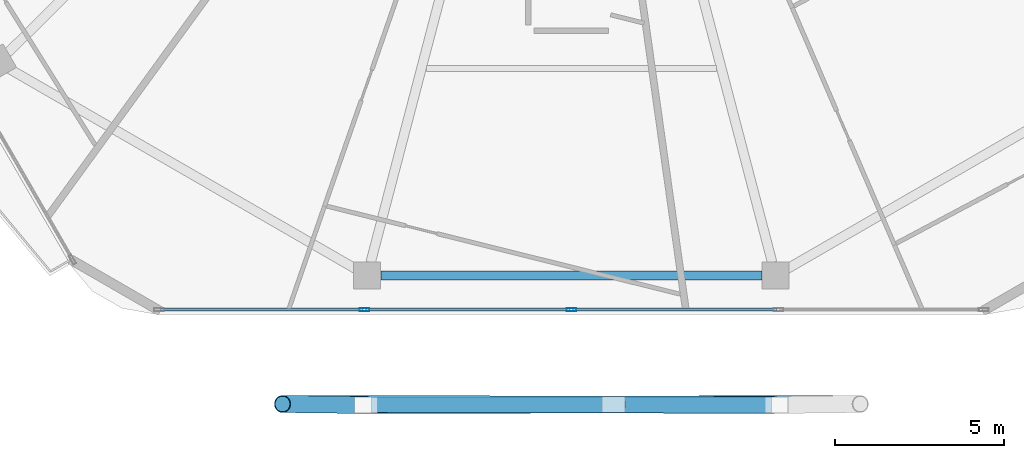
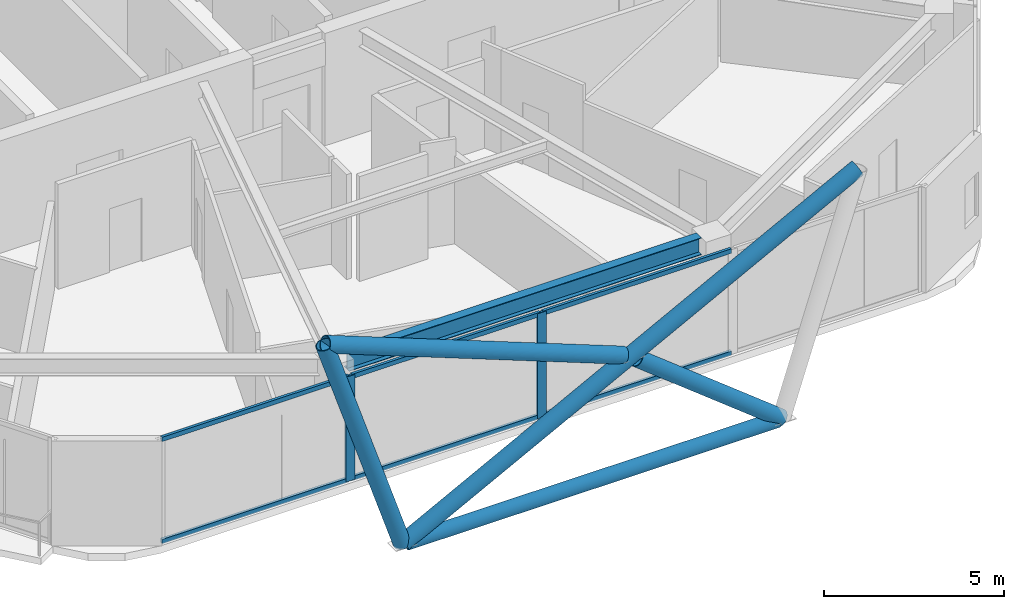
# One storey, part 4 of 24: 13 members, 1 beam, 1 element without a shape of its own.
"""IFC4 building model written with IfcOpenShell, lengths in metres."""

from ifc_helpers import new_model, si_unit, direction, frame, origin, origin_2d, place, context, subcontext, project, spatial, hollow_rectangle, hollow_circle, i_section, extrude, material, material_profile, profile_set, type_object, element, aggregate, save


model = new_model("IFC4")

# Units and contexts
model_context = context("Model", 3, precision=1e-05, world=origin(), true_north=direction((0.0, 1.0)))
body_context = subcontext(model_context, "Body", "Model", "MODEL_VIEW")
ifc_project = project(units=[si_unit("LENGTHUNIT", "METRE"), si_unit("AREAUNIT", "SQUARE_METRE"), si_unit("VOLUMEUNIT", "CUBIC_METRE"), si_unit("PLANEANGLEUNIT", "RADIAN"), si_unit("MASSUNIT", "GRAM", prefix="KILO")], contexts=[model_context])

# Site, building, storey
site_placement = place(None, origin())
site = spatial("IfcSite", under=ifc_project, at=site_placement, CompositionType="ELEMENT")
building_placement = place(site_placement, origin())
building = spatial("IfcBuilding", under=site, at=building_placement, Name="Zuhravey Tower", CompositionType="ELEMENT")
storey_placement = place(building_placement, frame((0.0, 0.0, 308.199951171875)))
storey = spatial("IfcBuildingStorey", under=building, at=storey_placement, Name="L78", CompositionType="ELEMENT", Elevation=308.199951171875)

# Curtain wall, members
ifc_material_1 = material(Name="Thermally broken anodised aluminium", Category="aluminium")
curtain_wall_type = type_object("IfcCurtainWallType", Name="Zone 3-4 High-Rise Curtain Wall CW4", PredefinedType="NOTDEFINED", material=ifc_material_1)
curtain_wall_placement = place(storey_placement, origin())
curtain_wall = element("IfcCurtainWall", 1, at=curtain_wall_placement, inside=storey, type_object=curtain_wall_type, Name="L78 CW4 CW-L78-F5-1", PredefinedType="NOTDEFINED")
ifc_material_2 = material(Name="Anodised aluminium", Category="aluminium")
ifc_material_profile_1 = material_profile(ifc_material_2, hollow_rectangle(XDim=0.090087890625, YDim=0.284912109375, WallThickness=0.0048828125, at=origin_2d()), Name="ALU-RHS-90x285x5")
ifc_profile_set_1 = profile_set([ifc_material_profile_1], Name="Anodised aluminium")
member_type_1 = type_object("IfcMemberType", Name="Curtain-Wall Mullion 90x180", PredefinedType="MULLION", material=ifc_profile_set_1)
member_1_placement = place(storey_placement, frame((36.0, 7.92578125, 0.0), z_axis=(0.0, 0.0, 1.0), x_axis=(0.0, -1.0, 0.0)))
member_1 = element("IfcMember", 2, at=member_1_placement, type_object=member_type_1, Name="CW4 mullion 3", PredefinedType="MULLION", context=body_context, shape_type="SweptSolid", body=[
    extrude(hollow_rectangle(XDim=0.090087890625, YDim=0.284912109375, WallThickness=0.0048828125, at=origin_2d()), origin(), (0.0, 0.0, 1.0), 3.550048828125),
])
member_2_placement = place(storey_placement, frame((29.88037109375, 7.92578125, 0.0), z_axis=(0.0, 0.0, 1.0), x_axis=(0.0, -1.0, 0.0)))
member_2 = element("IfcMember", 3, at=member_2_placement, type_object=member_type_1, Name="CW4 mullion 4", PredefinedType="MULLION", context=body_context, shape_type="SweptSolid", body=[
    extrude(hollow_rectangle(XDim=0.090087890625, YDim=0.284912109375, WallThickness=0.0048828125, at=origin_2d()), origin(), (0.0, 0.0, 1.0), 3.550048828125),
])
ifc_material_profile_2 = material_profile(ifc_material_2, hollow_rectangle(XDim=0.090087890625, YDim=0.14990234375, WallThickness=0.0048828125, at=origin_2d()), Name="ALU-RHS-90x150x5")
ifc_profile_set_2 = profile_set([ifc_material_profile_2], Name="Anodised aluminium")
member_type_2 = type_object("IfcMemberType", Name="Curtain-Wall Transom 90x150", PredefinedType="USERDEFINED", material=ifc_profile_set_2)
member_3_placement = place(storey_placement, frame((42.07470703125, 7.92578125, 0.045166015625), z_axis=(-1.0, 0.0, 0.0), x_axis=(0.0, -1.0, 0.0)))
member_3 = element("IfcMember", 4, at=member_3_placement, type_object=member_type_2, Name="CW4 transom 2.1", ObjectType="TRANSOM", PredefinedType="USERDEFINED", context=body_context, shape_type="SweptSolid", body=[
    extrude(hollow_rectangle(XDim=0.090087890625, YDim=0.14990234375, WallThickness=0.0048828125, at=origin_2d()), origin(), (0.0, 0.0, 1.0), 6.02978515625),
])
member_4_placement = place(storey_placement, frame((42.07470703125, 7.92578125, 3.505126953125), z_axis=(-1.0, 0.0, 0.0), x_axis=(0.0, -1.0, 0.0)))
member_4 = element("IfcMember", 5, at=member_4_placement, type_object=member_type_2, Name="CW4 transom 2.2", ObjectType="TRANSOM", PredefinedType="USERDEFINED", context=body_context, shape_type="SweptSolid", body=[
    extrude(hollow_rectangle(XDim=0.090087890625, YDim=0.14990234375, WallThickness=0.0048828125, at=origin_2d()), origin(), (0.0, 0.0, 1.0), 6.02978515625),
])
member_5_placement = place(storey_placement, frame((35.955078125, 7.92578125, 0.045166015625), z_axis=(-1.0, 0.0, 0.0), x_axis=(0.0, -1.0, 0.0)))
member_5 = element("IfcMember", 6, at=member_5_placement, type_object=member_type_2, Name="CW4 transom 3.1", ObjectType="TRANSOM", PredefinedType="USERDEFINED", context=body_context, shape_type="SweptSolid", body=[
    extrude(hollow_rectangle(XDim=0.090087890625, YDim=0.14990234375, WallThickness=0.0048828125, at=origin_2d()), origin(), (0.0, 0.0, 1.0), 6.02978515625),
])
member_6_placement = place(storey_placement, frame((35.955078125, 7.92578125, 3.505126953125), z_axis=(-1.0, 0.0, 0.0), x_axis=(0.0, -1.0, 0.0)))
member_6 = element("IfcMember", 7, at=member_6_placement, type_object=member_type_2, Name="CW4 transom 3.2", ObjectType="TRANSOM", PredefinedType="USERDEFINED", context=body_context, shape_type="SweptSolid", body=[
    extrude(hollow_rectangle(XDim=0.090087890625, YDim=0.14990234375, WallThickness=0.0048828125, at=origin_2d()), origin(), (0.0, 0.0, 1.0), 6.02978515625),
])
member_7_placement = place(storey_placement, frame((29.83544921875, 7.92578125, 0.045166015625), z_axis=(-1.0, 0.0, 0.0), x_axis=(0.0, -1.0, 0.0)))
member_7 = element("IfcMember", 8, at=member_7_placement, type_object=member_type_2, Name="CW4 transom 4.1", ObjectType="TRANSOM", PredefinedType="USERDEFINED", context=body_context, shape_type="SweptSolid", body=[
    extrude(hollow_rectangle(XDim=0.090087890625, YDim=0.14990234375, WallThickness=0.0048828125, at=origin_2d()), origin(), (0.0, 0.0, 1.0), 5.98486328125),
])
member_8_placement = place(storey_placement, frame((29.83544921875, 7.92578125, 3.505126953125), z_axis=(-1.0, 0.0, 0.0), x_axis=(0.0, -1.0, 0.0)))
member_8 = element("IfcMember", 9, at=member_8_placement, type_object=member_type_2, Name="CW4 transom 4.2", ObjectType="TRANSOM", PredefinedType="USERDEFINED", context=body_context, shape_type="SweptSolid", body=[
    extrude(hollow_rectangle(XDim=0.090087890625, YDim=0.14990234375, WallThickness=0.0048828125, at=origin_2d()), origin(), (0.0, 0.0, 1.0), 5.98486328125),
])
aggregate(curtain_wall, [member_1, member_2, member_3, member_4, member_5, member_6, member_7, member_8])

# Members
ifc_material_3 = material(Name="Steel SM355", Category="steel")
ifc_material_profile_3 = material_profile(ifc_material_3, hollow_circle(Radius=0.228515625, WallThickness=0.02197265625, at=origin_2d()), Name="CHS-457.2x22")
ifc_profile_set_3 = profile_set([ifc_material_profile_3], Name="Steel SM355")
member_type_3 = type_object("IfcMemberType", Name="Exoskeleton Ring Tie CHS457x22", PredefinedType="CHORD", material=ifc_profile_set_3)
member_9_placement = place(storey_placement, frame((30.072509765625, 5.10595703125, -0.4638671875), z_axis=(1.0, 0.0, 0.0), x_axis=(0.0, 1.0, 0.0)))
element("IfcMember", 10, at=member_9_placement, inside=storey, type_object=member_type_3, Name="L78 Exoskeleton Face 5 Tie EXR1", PredefinedType="CHORD", context=body_context, shape_type="SweptSolid", body=[
    extrude(hollow_circle(Radius=0.228515625, WallThickness=0.02197265625, at=origin_2d()), origin(), (0.0, 0.0, 1.0), 11.85498046875),
])
ifc_material_profile_4 = material_profile(ifc_material_3, hollow_circle(Radius=0.25390625, WallThickness=0.02490234375, at=origin_2d()), Name="CHS-508.0x25")
ifc_profile_set_4 = profile_set([ifc_material_profile_4], Name="Steel SM355")
member_type_4 = type_object("IfcMemberType", Name="Exoskeleton Zone 4 Diagrid CHS508x25", PredefinedType="BRACE", material=ifc_profile_set_4)
member_10_placement = place(storey_placement, frame((29.927490234375, 5.10595703125, -0.447998046875), z_axis=(-0.310451636696, 0.003741120079, 0.950581814098), x_axis=(-0.012049698022, -0.999927399753, 0.0)))
element("IfcMember", 11, at=member_10_placement, inside=storey, type_object=member_type_4, Name="L78 Face 5 Diagrid Brace 1", PredefinedType="BRACE", context=body_context, shape_type="SweptSolid", body=[
    extrude(hollow_circle(Radius=0.25390625, WallThickness=0.02490234375, at=origin_2d()), origin(), (0.0, 0.0, 1.0), 7.961669921875),
])
member_11_placement = place(storey_placement, frame((29.96337890625, 5.10595703125, -0.447998046875), z_axis=(0.887232881508, 0.001815569056, 0.461318239049), x_axis=(-0.002046323229, 0.999997906278, 0.0)))
element("IfcMember", 12, at=member_11_placement, inside=storey, type_object=member_type_4, Name="L78 Face 5 Diagrid Brace 2", PredefinedType="BRACE", context=body_context, shape_type="SweptSolid", body=[
    extrude(hollow_circle(Radius=0.25390625, WallThickness=0.02490234375, at=origin_2d()), origin(), (0.0, 0.0, 1.0), 16.405517578125),
])
member_12_placement = place(storey_placement, frame((42.0400390625, 5.10595703125, -0.4423828125), z_axis=(-0.785692881765, 0.002456461238, 0.618611882638), x_axis=(-0.003126475102, -0.999995112565, 0.0)))
element("IfcMember", 13, at=member_12_placement, inside=storey, type_object=member_type_4, Name="L78 Face 5 Split Diagrid Brace 3A", PredefinedType="BRACE", context=body_context, shape_type="SweptSolid", body=[
    extrude(hollow_circle(Radius=0.25390625, WallThickness=0.02490234375, at=origin_2d()), origin(), (0.0, 0.0, 1.0), 5.86376953125),
])
member_13_placement = place(storey_placement, frame((37.013671875, 5.121337890625, 3.42431640625), z_axis=(-0.932241069387, 0.001408940599, 0.361835050037), x_axis=(-0.001511346191, -0.999998857916, 0.0)))
element("IfcMember", 14, at=member_13_placement, inside=storey, type_object=member_type_4, Name="L78 Face 5 Split Diagrid Brace 3B", PredefinedType="BRACE", context=body_context, shape_type="SweptSolid", body=[
    extrude(hollow_circle(Radius=0.25390625, WallThickness=0.02490234375, at=origin_2d()), origin(), (0.0, 0.0, 1.0), 10.223388671875),
])

# Beam
ifc_material_profile_5 = material_profile(ifc_material_3, i_section(OverallWidth=0.280029296875, OverallDepth=0.580078125, WebThickness=0.011962890625, FlangeThickness=0.01904296875, at=origin_2d()), Name="H-580x280x12x19")
ifc_profile_set_5 = profile_set([ifc_material_profile_5], Name="Steel SM355")
beam_type = type_object("IfcBeamType", Name="Perimeter Ring Beam H580x280", PredefinedType="BEAM", material=ifc_profile_set_5)
beam_placement = place(storey_placement, frame((30.3642578125, 8.935791015625, 3.260009765625), z_axis=(1.0, 0.0, 0.0), x_axis=(0.0, 1.0, 0.0)))
element("IfcBeam", 15, at=beam_placement, inside=storey, type_object=beam_type, Name="L78 PB4 BM-L78-PB-09", PredefinedType="BEAM", context=body_context, shape_type="SweptSolid", body=[
    extrude(i_section(OverallWidth=0.280029296875, OverallDepth=0.580078125, WebThickness=0.011962890625, FlangeThickness=0.01904296875, at=origin_2d()), origin(), (0.0, 0.0, 1.0), 11.271484375),
])

save(model, "model.ifc")
